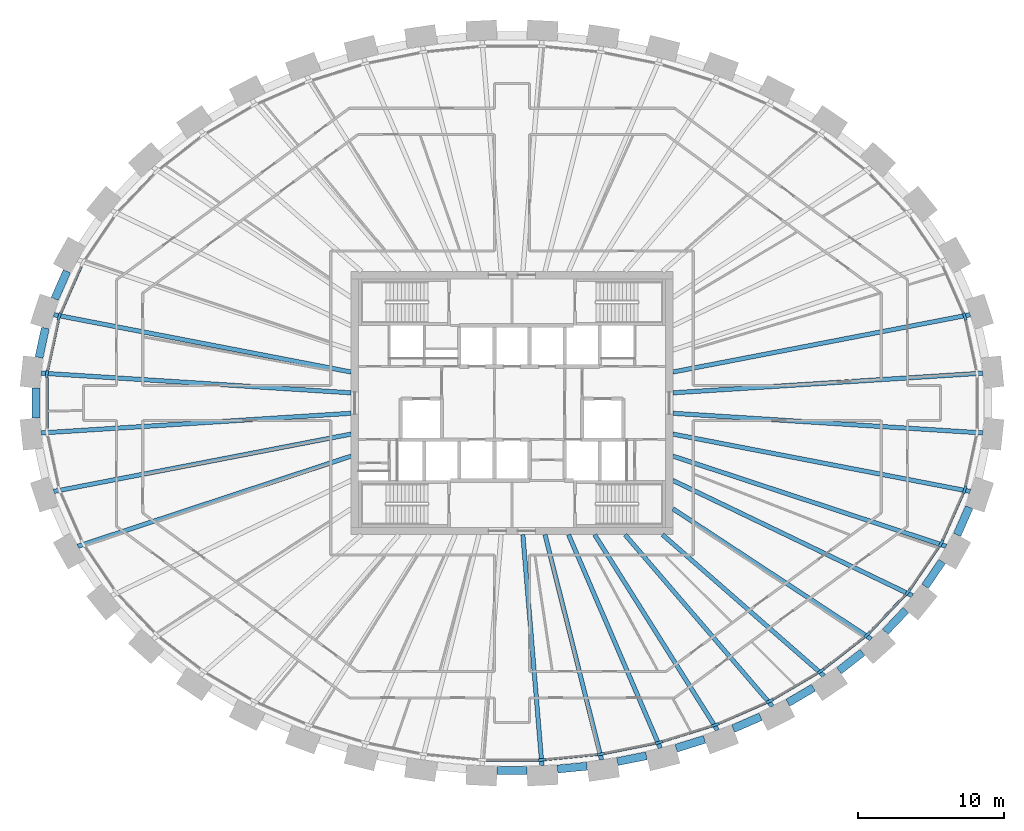
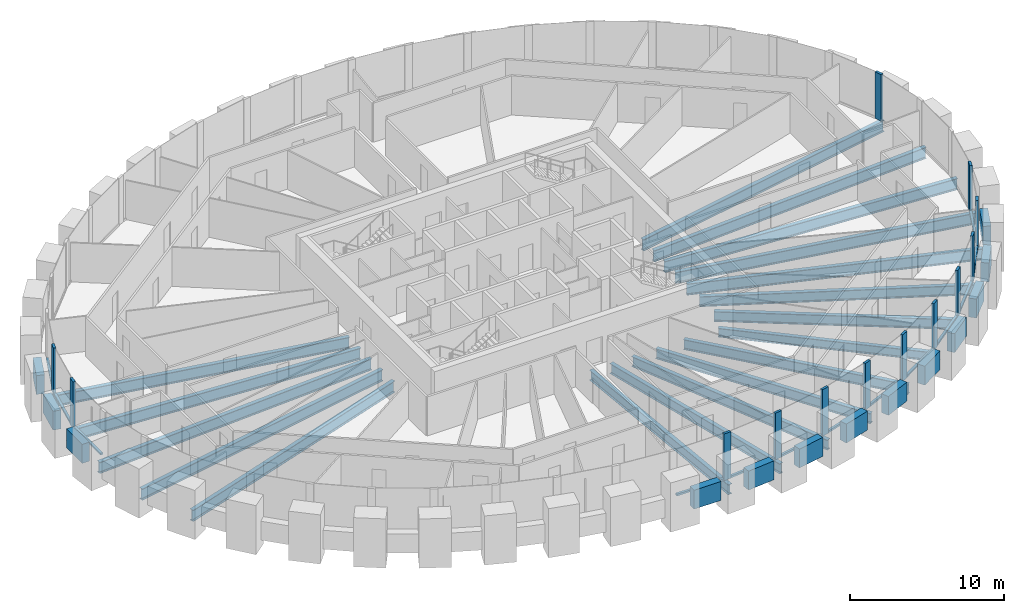
# One storey, part 2 of 12: 31 beams, 26 members, 1 element without a shape of its own.
"""IFC4 building model written with IfcOpenShell, lengths in metres."""

from ifc_helpers import new_model, si_unit, direction, frame, origin, origin_2d, place, context, subcontext, project, spatial, rectangle, i_section, extrude, source, transform, mapped, material, material_profile, profile_set, type_object, element, aggregate, save


model = new_model("IFC4")

# Units and contexts
model_context = context("Model", 3, precision=1e-05, world=origin(), true_north=direction((0.0, 1.0)))
body_context = subcontext(model_context, "Body", "Model", "MODEL_VIEW")
ifc_project = project(units=[si_unit("LENGTHUNIT", "METRE"), si_unit("AREAUNIT", "SQUARE_METRE"), si_unit("VOLUMEUNIT", "CUBIC_METRE"), si_unit("PLANEANGLEUNIT", "RADIAN"), si_unit("MASSUNIT", "GRAM", prefix="KILO")], contexts=[model_context])

# Site, building, storey
site_placement = place(None, origin())
site = spatial("IfcSite", under=ifc_project, at=site_placement, CompositionType="ELEMENT")
building_placement = place(site_placement, origin())
building = spatial("IfcBuilding", under=site, at=building_placement, Name="Embergate Tower", CompositionType="ELEMENT")
storey_placement = place(building_placement, frame((0.0, 0.0, 261.699951171875)))
storey = spatial("IfcBuildingStorey", under=building, at=storey_placement, Name="L60", CompositionType="ELEMENT", Elevation=261.699951171875)

# Beams
ifc_material_1 = material(Name="Concrete C60", Category="concrete")
ifc_material_profile_1 = material_profile(ifc_material_1, rectangle(XDim=0.550048828125, YDim=1.5, at=origin_2d()), Name="RC 550x1500")
ifc_profile_set_1 = profile_set([ifc_material_profile_1], Name="Concrete C60")
beam_type_1 = type_object("IfcBeamType", Name="Spandrel beam RC 550x1500 C60", PredefinedType="BEAM", material=ifc_profile_set_1)
shared_shape_1 = source(origin(), body_context, "Body", "SweptSolid", [
    extrude(rectangle(XDim=0.550048828125, YDim=1.5, at=origin_2d()), origin(), (0.0, 0.0, 1.0), 2.05810546875),
])
for number, where, z_axis, x_axis, name in (
    (1, (-31.910888671875, 5.12890625, 0.0), (-0.210444450804, -0.977605816843, 0.0), (0.977605816843, -0.210444450804, 0.0), "SPN-L60-20"),
    (2, (-32.56591796875, 1.029052734375, 0.0), (0.0, -1.0, 0.0), (1.0, 0.0, 0.0), "SPN-L60-21"),
):
    element("IfcBeam", number, at=place(storey_placement, frame(where, z_axis=z_axis, x_axis=x_axis)), inside=storey, type_object=beam_type_1, Name=name, PredefinedType="BEAM", context=body_context, shape_type="MappedRepresentation", body=[
        mapped(shared_shape_1, transform((0.0, 0.0, 0.0))),
    ])
shared_shape_2 = source(origin(), body_context, "Body", "SweptSolid", [
    extrude(rectangle(XDim=0.550048828125, YDim=1.5, at=origin_2d()), origin(), (0.0, 0.0, 1.0), 2.054443359375),
])
for number, where, z_axis, x_axis, name in (
    (3, (-30.43896484375, 9.008056640625, 0.0), (-0.402021652571, -0.915630160526, 0.0), (0.915630160526, -0.402021652571, 0.0), "SPN-L60-19"),
    (4, (30.43896484375, -9.008056640625, 0.0), (0.402021652571, 0.915630160526, 0.0), (-0.915630160526, 0.402021652571, 0.0), "SPN-L60-41"),
):
    element("IfcBeam", number, at=place(storey_placement, frame(where, z_axis=z_axis, x_axis=x_axis)), inside=storey, type_object=beam_type_1, Name=name, PredefinedType="BEAM", context=body_context, shape_type="MappedRepresentation", body=[
        mapped(shared_shape_2, transform((0.0, 0.0, 0.0))),
    ])
shared_shape_3 = source(origin(), body_context, "Body", "SweptSolid", [
    extrude(rectangle(XDim=0.550048828125, YDim=1.5, at=origin_2d()), origin(), (0.0, 0.0, 1.0), 2.046630859375),
])
beam_1_placement = place(storey_placement, frame((28.25390625, -12.528076171875, 0.0), z_axis=(0.562466632366, 0.826819984927, 0.0), x_axis=(-0.826819984927, 0.562466632366, 0.0)))
element("IfcBeam", 5, at=beam_1_placement, inside=storey, type_object=beam_type_1, Name="SPN-L60-40", PredefinedType="BEAM", context=body_context, shape_type="MappedRepresentation", body=[
    mapped(shared_shape_3, transform((0.0, 0.0, 0.0))),
])
shared_shape_4 = source(origin(), body_context, "Body", "SweptSolid", [
    extrude(rectangle(XDim=0.550048828125, YDim=1.5, at=origin_2d()), origin(), (0.0, 0.0, 1.0), 2.042724609375),
])
beam_2_placement = place(storey_placement, frame((25.52490234375, -15.638916015625, 0.0), z_axis=(0.690299494905, 0.723523743448, 0.0), x_axis=(-0.723523743448, 0.690299494905, 0.0)))
element("IfcBeam", 6, at=beam_2_placement, inside=storey, type_object=beam_type_1, Name="SPN-L60-39", PredefinedType="BEAM", context=body_context, shape_type="MappedRepresentation", body=[
    mapped(shared_shape_4, transform((0.0, 0.0, 0.0))),
])
shared_shape_5 = source(origin(), body_context, "Body", "SweptSolid", [
    extrude(rectangle(XDim=0.550048828125, YDim=1.5, at=origin_2d()), origin(), (0.0, 0.0, 1.0), 2.038330078125),
])
beam_3_placement = place(storey_placement, frame((22.362060546875, -18.302978515625, 0.0), z_axis=(0.78838379352, 0.615183707615, 0.0), x_axis=(-0.615183707615, 0.78838379352, 0.0)))
element("IfcBeam", 7, at=beam_3_placement, inside=storey, type_object=beam_type_1, Name="SPN-L60-38", PredefinedType="BEAM", context=body_context, shape_type="MappedRepresentation", body=[
    mapped(shared_shape_5, transform((0.0, 0.0, 0.0))),
])
shared_shape_6 = source(origin(), body_context, "Body", "SweptSolid", [
    extrude(rectangle(XDim=0.550048828125, YDim=1.5, at=origin_2d()), origin(), (0.0, 0.0, 1.0), 2.0322265625),
])
beam_4_placement = place(storey_placement, frame((18.862060546875, -20.4970703125, 0.0), z_axis=(0.862048455152, 0.50682586849, 0.0), x_axis=(-0.50682586849, 0.862048455152, 0.0)))
element("IfcBeam", 8, at=beam_4_placement, inside=storey, type_object=beam_type_1, Name="SPN-L60-37", PredefinedType="BEAM", context=body_context, shape_type="MappedRepresentation", body=[
    mapped(shared_shape_6, transform((0.0, 0.0, 0.0))),
])
shared_shape_7 = source(origin(), body_context, "Body", "SweptSolid", [
    extrude(rectangle(XDim=0.550048828125, YDim=1.5, at=origin_2d()), origin(), (0.0, 0.0, 1.0), 2.03076171875),
])
beam_5_placement = place(storey_placement, frame((15.131103515625, -22.264892578125, 0.0), z_axis=(0.916361402872, 0.400352069216, 0.0), x_axis=(-0.400352069216, 0.916361402872, 0.0)))
element("IfcBeam", 9, at=beam_5_placement, inside=storey, type_object=beam_type_1, Name="SPN-L60-36", PredefinedType="BEAM", context=body_context, shape_type="MappedRepresentation", body=[
    mapped(shared_shape_7, transform((0.0, 0.0, 0.0))),
])
shared_shape_8 = source(origin(), body_context, "Body", "SweptSolid", [
    extrude(rectangle(XDim=0.550048828125, YDim=1.5, at=origin_2d()), origin(), (0.0, 0.0, 1.0), 2.02880859375),
])
beam_6_placement = place(storey_placement, frame((11.22705078125, -23.60205078125, 0.0), z_axis=(0.954800624546, 0.297246980417, 0.0), x_axis=(-0.297246980417, 0.954800624546, 0.0)))
element("IfcBeam", 10, at=beam_6_placement, inside=storey, type_object=beam_type_1, Name="SPN-L60-35", PredefinedType="BEAM", context=body_context, shape_type="MappedRepresentation", body=[
    mapped(shared_shape_8, transform((0.0, 0.0, 0.0))),
])
shared_shape_9 = source(origin(), body_context, "Body", "SweptSolid", [
    extrude(rectangle(XDim=0.550048828125, YDim=1.5, at=origin_2d()), origin(), (0.0, 0.0, 1.0), 2.02734375),
])
beam_7_placement = place(storey_placement, frame((7.2041015625, -24.52001953125, 0.0), z_axis=(0.980543602706, 0.196301409041, 0.0), x_axis=(-0.196301409041, 0.980543602706, 0.0)))
element("IfcBeam", 11, at=beam_7_placement, inside=storey, type_object=beam_type_1, Name="SPN-L60-34", PredefinedType="BEAM", context=body_context, shape_type="MappedRepresentation", body=[
    mapped(shared_shape_9, transform((0.0, 0.0, 0.0))),
])
shared_shape_10 = source(origin(), body_context, "Body", "SweptSolid", [
    extrude(rectangle(XDim=0.550048828125, YDim=1.5, at=origin_2d()), origin(), (0.0, 0.0, 1.0), 2.025634765625),
])
beam_8_placement = place(storey_placement, frame((3.111083984375, -25.028076171875, 0.0), z_axis=(0.995211067802, 0.097749324935, 0.0), x_axis=(-0.097749324935, 0.995211067802, 0.0)))
element("IfcBeam", 12, at=beam_8_placement, inside=storey, type_object=beam_type_1, Name="SPN-L60-33", PredefinedType="BEAM", context=body_context, shape_type="MappedRepresentation", body=[
    mapped(shared_shape_10, transform((0.0, 0.0, 0.0))),
])
shared_shape_11 = source(origin(), body_context, "Body", "SweptSolid", [
    extrude(rectangle(XDim=0.550048828125, YDim=1.5, at=origin_2d()), origin(), (0.0, 0.0, 1.0), 2.02587890625),
])
beam_9_placement = place(storey_placement, frame((-1.012939453125, -25.131103515625, 0.0), z_axis=(1.0, 0.0, 0.0), x_axis=(0.0, 1.0, 0.0)))
element("IfcBeam", 13, at=beam_9_placement, inside=storey, type_object=beam_type_1, Name="SPN-L60-32", PredefinedType="BEAM", context=body_context, shape_type="MappedRepresentation", body=[
    mapped(shared_shape_11, transform((0.0, 0.0, 0.0))),
])
ifc_material_2 = material(Name="Steel Q355B", Category="steel")
ifc_material_profile_2 = material_profile(ifc_material_2, i_section(OverallWidth=0.300048828125, OverallDepth=0.89990234375, WebThickness=0.01611328125, FlangeThickness=0.028076171875, FilletRadius=0.028076171875, at=origin_2d()), Name="HN 900x300x16x28")
ifc_profile_set_2 = profile_set([ifc_material_profile_2], Name="Steel Q355 grade B")
beam_type_2 = type_object("IfcBeamType", Name="Radial girder HN 900x300x16x28", PredefinedType="BEAM", material=ifc_profile_set_2)
shared_shape_12 = source(origin(), body_context, "Body", "SweptSolid", [
    extrude(i_section(OverallWidth=0.300048828125, OverallDepth=0.89990234375, WebThickness=0.01611328125, FlangeThickness=0.028076171875, FilletRadius=0.028076171875, at=origin_2d()), origin(), (0.0, 0.0, 1.0), 21.233642578125),
])
for number, where, z_axis, x_axis, name in (
    (14, (32.19091796875, 2.044921875, -0.64990234375), (-0.99798898664, -0.063387558277, 0.0), (0.063387558277, -0.99798898664, 0.0), "GIR-L60-00"),
    (15, (-32.19091796875, 2.044921875, -0.64990234375), (0.99798898664, -0.063387558277, 0.0), (0.063387558277, 0.99798898664, 0.0), "GIR-L60-21"),
    (16, (-32.19091796875, -2.044921875, -0.64990234375), (0.99798898664, 0.063387558277, 0.0), (-0.063387558277, 0.99798898664, 0.0), "GIR-L60-22"),
    (17, (32.19091796875, -2.044921875, -0.64990234375), (-0.99798898664, 0.063387558277, 0.0), (-0.063387558277, -0.99798898664, 0.0), "GIR-L60-43"),
):
    element("IfcBeam", number, at=place(storey_placement, frame(where, z_axis=z_axis, x_axis=x_axis)), inside=storey, type_object=beam_type_2, Name=name, PredefinedType="BEAM", context=body_context, shape_type="MappedRepresentation", body=[
        mapped(shared_shape_12, transform((0.0, 0.0, 0.0))),
    ])
shared_shape_13 = source(origin(), body_context, "Body", "SweptSolid", [
    extrude(i_section(OverallWidth=0.300048828125, OverallDepth=0.89990234375, WebThickness=0.01611328125, FlangeThickness=0.028076171875, FilletRadius=0.028076171875, at=origin_2d()), origin(), (0.0, 0.0, 1.0), 20.704833984375),
])
for number, where, z_axis, x_axis, name in (
    (18, (31.330078125, 6.0439453125, -0.64990234375), (-0.981896609236, -0.189417656965, 0.0), (0.189417656965, -0.981896609236, 0.0), "GIR-L60-01"),
    (19, (-31.330078125, 6.0439453125, -0.64990234375), (0.981896609236, -0.189417656965, 0.0), (0.189417656965, 0.981896609236, 0.0), "GIR-L60-20"),
    (20, (-31.330078125, -6.0439453125, -0.64990234375), (0.981896609236, 0.189417656965, 0.0), (-0.189417656965, 0.981896609236, 0.0), "GIR-L60-23"),
    (21, (31.330078125, -6.0439453125, -0.64990234375), (-0.981896609236, 0.189417656965, 0.0), (-0.189417656965, -0.981896609236, 0.0), "GIR-L60-42"),
):
    element("IfcBeam", number, at=place(storey_placement, frame(where, z_axis=z_axis, x_axis=x_axis)), inside=storey, type_object=beam_type_2, Name=name, PredefinedType="BEAM", context=body_context, shape_type="MappedRepresentation", body=[
        mapped(shared_shape_13, transform((0.0, 0.0, 0.0))),
    ])
shared_shape_14 = source(origin(), body_context, "Body", "SweptSolid", [
    extrude(i_section(OverallWidth=0.300048828125, OverallDepth=0.89990234375, WebThickness=0.01611328125, FlangeThickness=0.028076171875, FilletRadius=0.028076171875, at=origin_2d()), origin(), (0.0, 0.0, 1.0), 19.67578125),
])
for number, where, z_axis, x_axis, name in (
    (22, (-29.68603515625, -9.7900390625, -0.64990234375), (0.949693396369, 0.313181182215, 0.0), (-0.313181182215, 0.949693396369, 0.0), "GIR-L60-24"),
    (23, (29.68603515625, -9.7900390625, -0.64990234375), (-0.949693396369, 0.313181182215, 0.0), (-0.313181182215, -0.949693396369, 0.0), "GIR-L60-41"),
):
    element("IfcBeam", number, at=place(storey_placement, frame(where, z_axis=z_axis, x_axis=x_axis)), inside=storey, type_object=beam_type_2, Name=name, PredefinedType="BEAM", context=body_context, shape_type="MappedRepresentation", body=[
        mapped(shared_shape_14, transform((0.0, 0.0, 0.0))),
    ])
ifc_material_profile_3 = material_profile(ifc_material_2, i_section(OverallWidth=0.300048828125, OverallDepth=0.800048828125, WebThickness=0.013916015625, FlangeThickness=0.02587890625, FilletRadius=0.028076171875, at=origin_2d()), Name="HN 800x300x14x26")
ifc_profile_set_3 = profile_set([ifc_material_profile_3], Name="Steel Q355 grade B")
beam_type_3 = type_object("IfcBeamType", Name="Radial girder HN 800x300x14x26", PredefinedType="BEAM", material=ifc_profile_set_3)
shared_shape_15 = source(origin(), body_context, "Body", "SweptSolid", [
    extrude(i_section(OverallWidth=0.300048828125, OverallDepth=0.800048828125, WebThickness=0.013916015625, FlangeThickness=0.02587890625, FilletRadius=0.028076171875, at=origin_2d()), origin(), (0.0, 0.0, 1.0), 18.182373046875),
])
beam_10_placement = place(storey_placement, frame((27.385009765625, -13.174072265625, -0.599853515625), z_axis=(-0.901152068073, 0.433503114415, 0.0), x_axis=(-0.433503114415, -0.901152068073, 0.0)))
element("IfcBeam", 24, at=beam_10_placement, inside=storey, type_object=beam_type_3, Name="GIR-L60-40", PredefinedType="BEAM", context=body_context, shape_type="MappedRepresentation", body=[
    mapped(shared_shape_15, transform((0.0, 0.0, 0.0))),
])
shared_shape_16 = source(origin(), body_context, "Body", "SweptSolid", [
    extrude(i_section(OverallWidth=0.300048828125, OverallDepth=0.800048828125, WebThickness=0.013916015625, FlangeThickness=0.02587890625, FilletRadius=0.028076171875, at=origin_2d()), origin(), (0.0, 0.0, 1.0), 16.224853515625),
])
beam_11_placement = place(storey_placement, frame((24.56005859375, -16.135986328125, -0.599853515625), z_axis=(-0.83576092079, 0.549093510506, 0.0), x_axis=(-0.549093510506, -0.83576092079, 0.0)))
element("IfcBeam", 25, at=beam_11_placement, inside=storey, type_object=beam_type_3, Name="GIR-L60-39", PredefinedType="BEAM", context=body_context, shape_type="MappedRepresentation", body=[
    mapped(shared_shape_16, transform((0.0, 0.0, 0.0))),
])
ifc_material_profile_4 = material_profile(ifc_material_2, i_section(OverallWidth=0.300048828125, OverallDepth=0.699951171875, WebThickness=0.012939453125, FlangeThickness=0.02392578125, FilletRadius=0.01806640625, at=origin_2d()), Name="HN 700x300x13x24")
ifc_profile_set_4 = profile_set([ifc_material_profile_4], Name="Steel Q355 grade B")
beam_type_4 = type_object("IfcBeamType", Name="Radial girder HN 700x300x13x24", PredefinedType="BEAM", material=ifc_profile_set_4)
shared_shape_17 = source(origin(), body_context, "Body", "SweptSolid", [
    extrude(i_section(OverallWidth=0.300048828125, OverallDepth=0.699951171875, WebThickness=0.012939453125, FlangeThickness=0.02392578125, FilletRadius=0.01806640625, at=origin_2d()), origin(), (0.0, 0.0, 1.0), 14.66845703125),
])
beam_12_placement = place(storey_placement, frame((21.3330078125, -18.656005859375, -0.550048828125), z_axis=(-0.752770497305, 0.658283053395, 0.0), x_axis=(-0.658283053395, -0.752770497305, 0.0)))
element("IfcBeam", 26, at=beam_12_placement, inside=storey, type_object=beam_type_4, Name="GIR-L60-38", PredefinedType="BEAM", context=body_context, shape_type="MappedRepresentation", body=[
    mapped(shared_shape_17, transform((0.0, 0.0, 0.0))),
])
shared_shape_18 = source(origin(), body_context, "Body", "SweptSolid", [
    extrude(i_section(OverallWidth=0.300048828125, OverallDepth=0.800048828125, WebThickness=0.013916015625, FlangeThickness=0.02587890625, FilletRadius=0.028076171875, at=origin_2d()), origin(), (0.0, 0.0, 1.0), 15.462890625),
])
beam_13_placement = place(storey_placement, frame((17.802978515625, -20.73095703125, -0.599853515625), z_axis=(-0.651494533004, 0.75865332891, 0.0), x_axis=(-0.75865332891, -0.651494533004, 0.0)))
element("IfcBeam", 27, at=beam_13_placement, inside=storey, type_object=beam_type_3, Name="GIR-L60-37", PredefinedType="BEAM", context=body_context, shape_type="MappedRepresentation", body=[
    mapped(shared_shape_18, transform((0.0, 0.0, 0.0))),
])
shared_shape_19 = source(origin(), body_context, "Body", "SweptSolid", [
    extrude(i_section(OverallWidth=0.300048828125, OverallDepth=0.800048828125, WebThickness=0.013916015625, FlangeThickness=0.02587890625, FilletRadius=0.028076171875, at=origin_2d()), origin(), (0.0, 0.0, 1.0), 15.791015625),
])
beam_14_placement = place(storey_placement, frame((14.051025390625, -22.3720703125, -0.599853515625), z_axis=(-0.531882110567, 0.846818410557, 0.0), x_axis=(-0.846818410557, -0.531882110567, 0.0)))
element("IfcBeam", 28, at=beam_14_placement, inside=storey, type_object=beam_type_3, Name="GIR-L60-36", PredefinedType="BEAM", context=body_context, shape_type="MappedRepresentation", body=[
    mapped(shared_shape_19, transform((0.0, 0.0, 0.0))),
])
shared_shape_20 = source(origin(), body_context, "Body", "SweptSolid", [
    extrude(i_section(OverallWidth=0.300048828125, OverallDepth=0.800048828125, WebThickness=0.013916015625, FlangeThickness=0.02587890625, FilletRadius=0.028076171875, at=origin_2d()), origin(), (0.0, 0.0, 1.0), 15.881103515625),
])
beam_15_placement = place(storey_placement, frame((10.14111328125, -23.590087890625, -0.599853515625), z_axis=(-0.394946920714, 0.918703940243, 0.0), x_axis=(-0.918703940243, -0.394946920714, 0.0)))
element("IfcBeam", 29, at=beam_15_placement, inside=storey, type_object=beam_type_3, Name="GIR-L60-35", PredefinedType="BEAM", context=body_context, shape_type="MappedRepresentation", body=[
    mapped(shared_shape_20, transform((0.0, 0.0, 0.0))),
])
shared_shape_21 = source(origin(), body_context, "Body", "SweptSolid", [
    extrude(i_section(OverallWidth=0.300048828125, OverallDepth=0.800048828125, WebThickness=0.013916015625, FlangeThickness=0.02587890625, FilletRadius=0.028076171875, at=origin_2d()), origin(), (0.0, 0.0, 1.0), 15.872802734375),
])
beam_16_placement = place(storey_placement, frame((6.1240234375, -24.39501953125, -0.599853515625), z_axis=(-0.243498181484, 0.969901353548, 0.0), x_axis=(-0.969901353548, -0.243498181484, 0.0)))
element("IfcBeam", 30, at=beam_16_placement, inside=storey, type_object=beam_type_3, Name="GIR-L60-34", PredefinedType="BEAM", context=body_context, shape_type="MappedRepresentation", body=[
    mapped(shared_shape_21, transform((0.0, 0.0, 0.0))),
])
shared_shape_22 = source(origin(), body_context, "Body", "SweptSolid", [
    extrude(i_section(OverallWidth=0.300048828125, OverallDepth=0.800048828125, WebThickness=0.013916015625, FlangeThickness=0.02587890625, FilletRadius=0.028076171875, at=origin_2d()), origin(), (0.0, 0.0, 1.0), 15.849609375),
])
beam_17_placement = place(storey_placement, frame((2.048095703125, -24.7958984375, -0.599853515625), z_axis=(-0.082346886075, 0.996603727845, 0.0), x_axis=(-0.996603727845, -0.082346886075, 0.0)))
element("IfcBeam", 31, at=beam_17_placement, inside=storey, type_object=beam_type_3, Name="GIR-L60-33", PredefinedType="BEAM", context=body_context, shape_type="MappedRepresentation", body=[
    mapped(shared_shape_22, transform((0.0, 0.0, 0.0))),
])

# Curtain wall, members
ifc_material_3 = material(Name="Aluminium and glass", Category="aluminium")
curtain_wall_type = type_object("IfcCurtainWallType", Name="Recessed office glazing", PredefinedType="NOTDEFINED", material=ifc_material_3)
curtain_wall_placement = place(storey_placement, origin())
curtain_wall = element("IfcCurtainWall", 32, at=curtain_wall_placement, inside=storey, type_object=curtain_wall_type, Name="Recessed office glazing ring", ObjectType="RECESSED OFFICE GLAZING", PredefinedType="USERDEFINED")
ifc_material_4 = material(Name="Aluminium, thermally broken", Category="aluminium")
ifc_material_profile_5 = material_profile(ifc_material_4, rectangle(XDim=0.179931640625, YDim=0.52001953125, at=origin_2d()), Name="AL 520x180")
ifc_profile_set_5 = profile_set([ifc_material_profile_5], Name="Aluminium, thermally broken")
member_type_1 = type_object("IfcMemberType", Name="Office mullion", PredefinedType="MULLION", material=ifc_profile_set_5)
shared_shape_23 = source(origin(), body_context, "Body", "SweptSolid", [
    extrude(rectangle(XDim=0.179931640625, YDim=0.52001953125, at=origin_2d()), origin(), (0.0, 0.0, 1.0), 3.699951171875),
])
member_1_placement = place(storey_placement, frame((30.958984375, 5.922607421875, 0.0), z_axis=(0.0, 0.0, 1.0), x_axis=(-0.9514940392, -0.307667179542, 0.0)))
member_1 = element("IfcMember", 33, at=member_1_placement, type_object=member_type_1, Name="CW mullion 2", PredefinedType="MULLION", context=body_context, shape_type="MappedRepresentation", body=[
    mapped(shared_shape_23, transform((0.0, 0.0, 0.0))),
])
member_2_placement = place(storey_placement, frame((-30.958984375, 5.922607421875, 0.0), z_axis=(0.0, 0.0, 1.0), x_axis=(0.9514940392, -0.307667179542, 0.0)))
member_2 = element("IfcMember", 34, at=member_2_placement, type_object=member_type_1, Name="CW mullion 21", PredefinedType="MULLION", context=body_context, shape_type="MappedRepresentation", body=[
    mapped(shared_shape_23, transform((0.0, 0.0, 0.0))),
])
member_3_placement = place(storey_placement, frame((-31.802490234375, 2.003173828125, 0.0), z_axis=(0.0, 0.0, 1.0), x_axis=(0.994384400633, -0.105828463931, 0.0)))
member_3 = element("IfcMember", 35, at=member_3_placement, type_object=member_type_1, Name="CW mullion 22", PredefinedType="MULLION", context=body_context, shape_type="MappedRepresentation", body=[
    mapped(shared_shape_23, transform((0.0, 0.0, 0.0))),
])
member_4_placement = place(storey_placement, frame((2.02880859375, -24.406494140625, 0.0), z_axis=(0.0, 0.0, 1.0), x_axis=(-0.048970053385, 0.998800247232, 0.0)))
member_4 = element("IfcMember", 36, at=member_4_placement, type_object=member_type_1, Name="CW mullion 34", PredefinedType="MULLION", context=body_context, shape_type="MappedRepresentation", body=[
    mapped(shared_shape_23, transform((0.0, 0.0, 0.0))),
])
member_5_placement = place(storey_placement, frame((6.06689453125, -24.009521484375, 0.0), z_axis=(0.0, 0.0, 1.0), x_axis=(-0.147410656556, 0.989075375456, 0.0)))
member_5 = element("IfcMember", 37, at=member_5_placement, type_object=member_type_1, Name="CW mullion 35", PredefinedType="MULLION", context=body_context, shape_type="MappedRepresentation", body=[
    mapped(shared_shape_23, transform((0.0, 0.0, 0.0))),
])
member_6_placement = place(storey_placement, frame((10.0439453125, -23.2119140625, 0.0), z_axis=(0.0, 0.0, 1.0), x_axis=(-0.247308499144, 0.96893679167, 0.0)))
member_6 = element("IfcMember", 38, at=member_6_placement, type_object=member_type_1, Name="CW mullion 36", PredefinedType="MULLION", context=body_context, shape_type="MappedRepresentation", body=[
    mapped(shared_shape_23, transform((0.0, 0.0, 0.0))),
])
member_7_placement = place(storey_placement, frame((13.914794921875, -22.006591796875, 0.0), z_axis=(0.0, 0.0, 1.0), x_axis=(-0.349497777064, 0.936937193107, 0.0)))
member_7 = element("IfcMember", 39, at=member_7_placement, type_object=member_type_1, Name="CW mullion 37", PredefinedType="MULLION", context=body_context, shape_type="MappedRepresentation", body=[
    mapped(shared_shape_23, transform((0.0, 0.0, 0.0))),
])
member_8_placement = place(storey_placement, frame((17.626220703125, -20.383544921875, 0.0), z_axis=(0.0, 0.0, 1.0), x_axis=(-0.45450516197, 0.8907441034, 0.0)))
member_8 = element("IfcMember", 40, at=member_8_placement, type_object=member_type_1, Name="CW mullion 38", PredefinedType="MULLION", context=body_context, shape_type="MappedRepresentation", body=[
    mapped(shared_shape_23, transform((0.0, 0.0, 0.0))),
])
member_9_placement = place(storey_placement, frame((21.1142578125, -18.3330078125, 0.0), z_axis=(0.0, 0.0, 1.0), x_axis=(-0.562208958301, 0.826995215951, 0.0)))
member_9 = element("IfcMember", 41, at=member_9_placement, type_object=member_type_1, Name="CW mullion 39", PredefinedType="MULLION", context=body_context, shape_type="MappedRepresentation", body=[
    mapped(shared_shape_23, transform((0.0, 0.0, 0.0))),
])
member_10_placement = place(storey_placement, frame((24.299560546875, -15.846923828125, 0.0), z_axis=(0.0, 0.0, 1.0), x_axis=(-0.671217477801, 0.741260478843, 0.0)))
member_10 = element("IfcMember", 42, at=member_10_placement, type_object=member_type_1, Name="CW mullion 40", PredefinedType="MULLION", context=body_context, shape_type="MappedRepresentation", body=[
    mapped(shared_shape_23, transform((0.0, 0.0, 0.0))),
])
member_11_placement = place(storey_placement, frame((27.0830078125, -12.92822265625, 0.0), z_axis=(0.0, 0.0, 1.0), x_axis=(-0.777863789852, 0.628432911643, 0.0)))
member_11 = element("IfcMember", 43, at=member_11_placement, type_object=member_type_1, Name="CW mullion 41", PredefinedType="MULLION", context=body_context, shape_type="MappedRepresentation", body=[
    mapped(shared_shape_23, transform((0.0, 0.0, 0.0))),
])
member_12_placement = place(storey_placement, frame((29.34619140625, -9.600341796875, 0.0), z_axis=(0.0, 0.0, 1.0), x_axis=(-0.874994291193, 0.484133236186, 0.0)))
member_12 = element("IfcMember", 44, at=member_12_placement, type_object=member_type_1, Name="CW mullion 42", PredefinedType="MULLION", context=body_context, shape_type="MappedRepresentation", body=[
    mapped(shared_shape_23, transform((0.0, 0.0, 0.0))),
])
member_13_placement = place(storey_placement, frame((30.958984375, -5.922607421875, 0.0), z_axis=(0.0, 0.0, 1.0), x_axis=(-0.9514940392, 0.307667179542, 0.0)))
member_13 = element("IfcMember", 45, at=member_13_placement, type_object=member_type_1, Name="CW mullion 43", PredefinedType="MULLION", context=body_context, shape_type="MappedRepresentation", body=[
    mapped(shared_shape_23, transform((0.0, 0.0, 0.0))),
])
ifc_material_profile_6 = material_profile(ifc_material_4, rectangle(XDim=0.179931640625, YDim=0.14990234375, at=origin_2d()), Name="AL 150x180")
ifc_profile_set_6 = profile_set([ifc_material_profile_6], Name="Aluminium, thermally broken")
member_type_2 = type_object("IfcMemberType", Name="Office sill transom", PredefinedType="USERDEFINED", material=ifc_profile_set_6)
shared_shape_24 = source(origin(), body_context, "Body", "SweptSolid", [
    extrude(rectangle(XDim=0.179931640625, YDim=0.14990234375, at=origin_2d()), origin(), (0.0, 0.0, 1.0), 3.4892578125),
])
member_14_placement = place(storey_placement, frame((-31.013916015625, 5.66845703125, 0.074951171875), z_axis=(-0.21033180344, -0.977630059103, 0.0), x_axis=(0.977630059103, -0.21033180344, 0.0)))
member_14 = element("IfcMember", 46, at=member_14_placement, type_object=member_type_2, Name="CW transom 21.1", ObjectType="TRANSOM", PredefinedType="USERDEFINED", context=body_context, shape_type="MappedRepresentation", body=[
    mapped(shared_shape_24, transform((0.0, 0.0, 0.0))),
])
shared_shape_25 = source(origin(), body_context, "Body", "SweptSolid", [
    extrude(rectangle(XDim=0.179931640625, YDim=0.14990234375, at=origin_2d()), origin(), (0.0, 0.0, 1.0), 3.49609375),
])
member_15_placement = place(storey_placement, frame((-29.450439453125, 9.3623046875, 0.074951171875), z_axis=(-0.401675879714, -0.915781899612, 0.0), x_axis=(0.915781899612, -0.401675879714, 0.0)))
member_15 = element("IfcMember", 47, at=member_15_placement, type_object=member_type_2, Name="CW transom 20.1", ObjectType="TRANSOM", PredefinedType="USERDEFINED", context=body_context, shape_type="MappedRepresentation", body=[
    mapped(shared_shape_25, transform((0.0, 0.0, 0.0))),
])
member_16_placement = place(storey_placement, frame((29.450439453125, -9.3623046875, 0.074951171875), z_axis=(0.401675879714, 0.915781899612, 0.0), x_axis=(-0.915781899612, 0.401675879714, 0.0)))
member_16 = element("IfcMember", 48, at=member_16_placement, type_object=member_type_2, Name="CW transom 42.1", ObjectType="TRANSOM", PredefinedType="USERDEFINED", context=body_context, shape_type="MappedRepresentation", body=[
    mapped(shared_shape_25, transform((0.0, 0.0, 0.0))),
])
shared_shape_26 = source(origin(), body_context, "Body", "SweptSolid", [
    extrude(rectangle(XDim=0.179931640625, YDim=0.14990234375, at=origin_2d()), origin(), (0.0, 0.0, 1.0), 3.504638671875),
])
member_17_placement = place(storey_placement, frame((27.22900390625, -12.71337890625, 0.074951171875), z_axis=(0.562376708583, 0.826881150858, 0.0), x_axis=(-0.826881150858, 0.562376708583, 0.0)))
member_17 = element("IfcMember", 49, at=member_17_placement, type_object=member_type_2, Name="CW transom 41.1", ObjectType="TRANSOM", PredefinedType="USERDEFINED", context=body_context, shape_type="MappedRepresentation", body=[
    mapped(shared_shape_26, transform((0.0, 0.0, 0.0))),
])
shared_shape_27 = source(origin(), body_context, "Body", "SweptSolid", [
    extrude(rectangle(XDim=0.179931640625, YDim=0.14990234375, at=origin_2d()), origin(), (0.0, 0.0, 1.0), 3.512939453125),
])
member_18_placement = place(storey_placement, frame((24.47900390625, -15.65869140625, 0.074951171875), z_axis=(0.690159983448, 0.723656822842, 0.0), x_axis=(-0.723656822842, 0.690159983448, 0.0)))
member_18 = element("IfcMember", 50, at=member_18_placement, type_object=member_type_2, Name="CW transom 40.1", ObjectType="TRANSOM", PredefinedType="USERDEFINED", context=body_context, shape_type="MappedRepresentation", body=[
    mapped(shared_shape_27, transform((0.0, 0.0, 0.0))),
])
shared_shape_28 = source(origin(), body_context, "Body", "SweptSolid", [
    extrude(rectangle(XDim=0.179931640625, YDim=0.14990234375, at=origin_2d()), origin(), (0.0, 0.0, 1.0), 3.520263671875),
])
member_19_placement = place(storey_placement, frame((21.3193359375, -18.1728515625, 0.074951171875), z_axis=(0.788309220122, 0.615279264619, 0.0), x_axis=(-0.615279264619, 0.788309220122, 0.0)))
member_19 = element("IfcMember", 51, at=member_19_placement, type_object=member_type_2, Name="CW transom 39.1", ObjectType="TRANSOM", PredefinedType="USERDEFINED", context=body_context, shape_type="MappedRepresentation", body=[
    mapped(shared_shape_28, transform((0.0, 0.0, 0.0))),
])
shared_shape_29 = source(origin(), body_context, "Body", "SweptSolid", [
    extrude(rectangle(XDim=0.179931640625, YDim=0.14990234375, at=origin_2d()), origin(), (0.0, 0.0, 1.0), 3.526123046875),
])
member_20_placement = place(storey_placement, frame((17.850341796875, -20.251708984375, 0.074951171875), z_axis=(0.862058778532, 0.506808309281, 0.0), x_axis=(-0.506808309281, 0.862058778532, 0.0)))
member_20 = element("IfcMember", 52, at=member_20_placement, type_object=member_type_2, Name="CW transom 38.1", ObjectType="TRANSOM", PredefinedType="USERDEFINED", context=body_context, shape_type="MappedRepresentation", body=[
    mapped(shared_shape_29, transform((0.0, 0.0, 0.0))),
])
shared_shape_30 = source(origin(), body_context, "Body", "SweptSolid", [
    extrude(rectangle(XDim=0.179931640625, YDim=0.14990234375, at=origin_2d()), origin(), (0.0, 0.0, 1.0), 3.53076171875),
])
member_21_placement = place(storey_placement, frame((14.15283203125, -21.90234375, 0.074951171875), z_axis=(0.916241422351, 0.400626579209, 0.0), x_axis=(-0.400626579209, 0.916241422351, 0.0)))
member_21 = element("IfcMember", 53, at=member_21_placement, type_object=member_type_2, Name="CW transom 37.1", ObjectType="TRANSOM", PredefinedType="USERDEFINED", context=body_context, shape_type="MappedRepresentation", body=[
    mapped(shared_shape_30, transform((0.0, 0.0, 0.0))),
])
shared_shape_31 = source(origin(), body_context, "Body", "SweptSolid", [
    extrude(rectangle(XDim=0.179931640625, YDim=0.14990234375, at=origin_2d()), origin(), (0.0, 0.0, 1.0), 3.5341796875),
])
member_22_placement = place(storey_placement, frame((10.292236328125, -23.134521484375, 0.074951171875), z_axis=(0.954775746564, 0.297326880342, 0.0), x_axis=(-0.297326880342, 0.954775746564, 0.0)))
member_22 = element("IfcMember", 54, at=member_22_placement, type_object=member_type_2, Name="CW transom 36.1", ObjectType="TRANSOM", PredefinedType="USERDEFINED", context=body_context, shape_type="MappedRepresentation", body=[
    mapped(shared_shape_31, transform((0.0, 0.0, 0.0))),
])
shared_shape_32 = source(origin(), body_context, "Body", "SweptSolid", [
    extrude(rectangle(XDim=0.179931640625, YDim=0.14990234375, at=origin_2d()), origin(), (0.0, 0.0, 1.0), 3.5361328125),
])
member_23_placement = place(storey_placement, frame((6.322021484375, -23.95849609375, 0.074951171875), z_axis=(0.980463661571, 0.196700300811, 0.0), x_axis=(-0.196700300811, 0.980463661571, 0.0)))
member_23 = element("IfcMember", 55, at=member_23_placement, type_object=member_type_2, Name="CW transom 35.1", ObjectType="TRANSOM", PredefinedType="USERDEFINED", context=body_context, shape_type="MappedRepresentation", body=[
    mapped(shared_shape_32, transform((0.0, 0.0, 0.0))),
])
shared_shape_33 = source(origin(), body_context, "Body", "SweptSolid", [
    extrude(rectangle(XDim=0.179931640625, YDim=0.14990234375, at=origin_2d()), origin(), (0.0, 0.0, 1.0), 3.53759765625),
])
member_24_placement = place(storey_placement, frame((-1.768798828125, -24.406494140625, 0.074951171875), z_axis=(1.0, 0.0, 0.0), x_axis=(0.0, 1.0, 0.0)))
member_24 = element("IfcMember", 56, at=member_24_placement, type_object=member_type_2, Name="CW transom 33.1", ObjectType="TRANSOM", PredefinedType="USERDEFINED", context=body_context, shape_type="MappedRepresentation", body=[
    mapped(shared_shape_33, transform((0.0, 0.0, 0.0))),
])
member_25_placement = place(storey_placement, frame((2.28759765625, -24.381103515625, 0.074951171875), z_axis=(0.99519983538, 0.097863617654, 0.0), x_axis=(-0.097863617654, 0.99519983538, 0.0)))
member_25 = element("IfcMember", 57, at=member_25_placement, type_object=member_type_2, Name="CW transom 34.1", ObjectType="TRANSOM", PredefinedType="USERDEFINED", context=body_context, shape_type="MappedRepresentation", body=[
    mapped(shared_shape_33, transform((0.0, 0.0, 0.0))),
])
shared_shape_34 = source(origin(), body_context, "Body", "SweptSolid", [
    extrude(rectangle(XDim=0.179931640625, YDim=0.14990234375, at=origin_2d()), origin(), (0.0, 0.0, 1.0), 3.486328125),
])
member_26_placement = place(storey_placement, frame((-31.802490234375, 1.7431640625, 0.074951171875), z_axis=(0.0, -1.0, 0.0), x_axis=(1.0, 0.0, 0.0)))
member_26 = element("IfcMember", 58, at=member_26_placement, type_object=member_type_2, Name="CW transom 22.1", ObjectType="TRANSOM", PredefinedType="USERDEFINED", context=body_context, shape_type="MappedRepresentation", body=[
    mapped(shared_shape_34, transform((0.0, 0.0, 0.0))),
])
aggregate(curtain_wall, [member_1, member_2, member_3, member_4, member_5, member_6, member_7, member_8, member_9, member_10, member_11, member_12, member_13, member_15, member_14, member_26, member_24, member_25, member_23, member_22, member_21, member_20, member_19, member_18, member_17, member_16])

save(model, "model.ifc")
